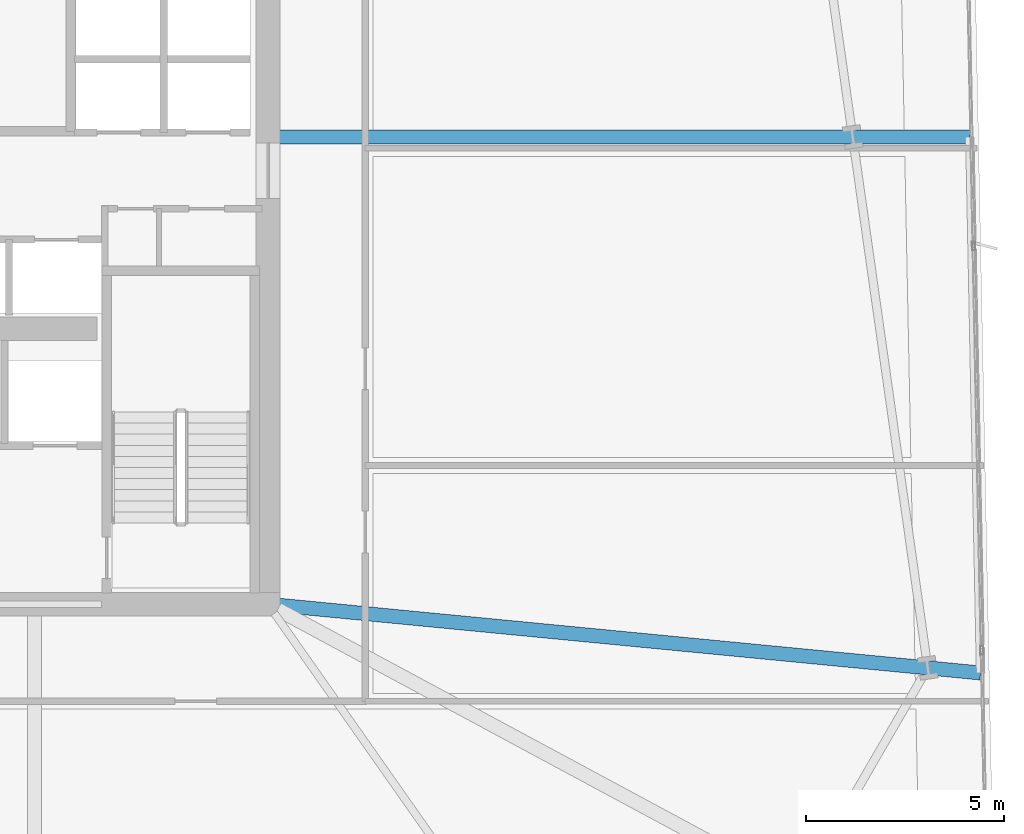
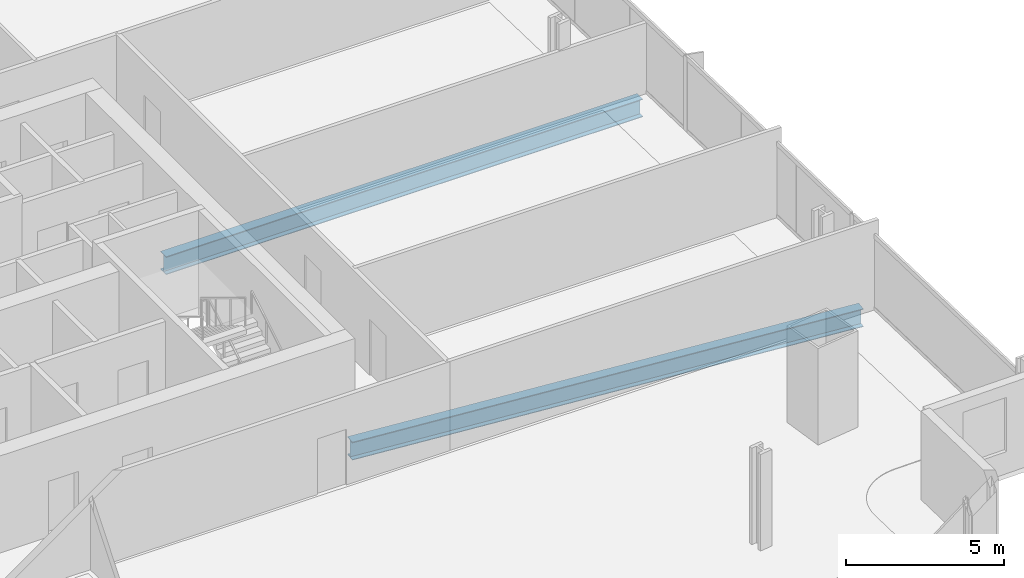
# One storey, part 13 of 35: 2 beams.
"""IFC4 building model written with IfcOpenShell, lengths in metres."""

from ifc_helpers import new_model, si_unit, direction, frame, origin, origin_2d, place, context, subcontext, project, spatial, i_section, extrude, material, material_profile, profile_set, type_object, element, save


model = new_model("IFC4")

# Units and contexts
model_context = context("Model", 3, precision=1e-05, world=origin(), true_north=direction((0.0, 1.0)))
body_context = subcontext(model_context, "Body", "Model", "MODEL_VIEW")
ifc_project = project(units=[si_unit("LENGTHUNIT", "METRE"), si_unit("AREAUNIT", "SQUARE_METRE"), si_unit("VOLUMEUNIT", "CUBIC_METRE"), si_unit("PLANEANGLEUNIT", "RADIAN"), si_unit("MASSUNIT", "GRAM", prefix="KILO")], contexts=[model_context])

# Site, building, storey
site_placement = place(None, origin())
site = spatial("IfcSite", under=ifc_project, at=site_placement, CompositionType="ELEMENT")
building_placement = place(site_placement, origin())
building = spatial("IfcBuilding", under=site, at=building_placement, Name="Haldenkirk Collegiate Tower", CompositionType="ELEMENT")
storey_placement = place(building_placement, frame((0.0, 0.0, 32.699951171875)))
storey = spatial("IfcBuildingStorey", under=building, at=storey_placement, Name="L06", CompositionType="ELEMENT", Elevation=32.699951171875)

# Beams
ifc_material = material(Name="Steel ASTM A992 Grade 50", Category="steel")
ifc_material_profile = material_profile(ifc_material, i_section(OverallWidth=0.35498046875, OverallDepth=0.696044921875, WebThickness=0.015380859375, FlangeThickness=0.02490234375, at=origin_2d()), Name="W27X146")
ifc_profile_set = profile_set([ifc_material_profile], Name="Steel ASTM A992 Grade 50")
beam_type = type_object("IfcBeamType", Name="BM-GIRDER-W27X146", PredefinedType="BEAM", material=ifc_profile_set)
beam_1_placement = place(storey_placement, frame((62.980712890625, 16.264404296875, -0.657958984375), z_axis=(-0.995373420698, 0.096082013757, 0.0), x_axis=(-0.096082013757, -0.995373420698, 0.0)))
element("IfcBeam", 1, at=beam_1_placement, inside=storey, type_object=beam_type, Name="L06 primary floor girder 08", PredefinedType="BEAM", context=body_context, shape_type="SweptSolid", body=[
    extrude(i_section(OverallWidth=0.35498046875, OverallDepth=0.696044921875, WebThickness=0.015380859375, FlangeThickness=0.02490234375, at=origin_2d()), origin(), (0.0, 0.0, 1.0), 17.7841796875),
])
beam_2_placement = place(storey_placement, frame((62.709228515625, 29.788818359375, -0.657958984375), z_axis=(-1.0, 0.0, 0.0), x_axis=(0.0, -1.0, 0.0)))
element("IfcBeam", 2, at=beam_2_placement, inside=storey, type_object=beam_type, Name="L06 primary floor girder 09", PredefinedType="BEAM", context=body_context, shape_type="SweptSolid", body=[
    extrude(i_section(OverallWidth=0.35498046875, OverallDepth=0.696044921875, WebThickness=0.015380859375, FlangeThickness=0.02490234375, at=origin_2d()), origin(), (0.0, 0.0, 1.0), 17.42919921875),
])

save(model, "model.ifc")
